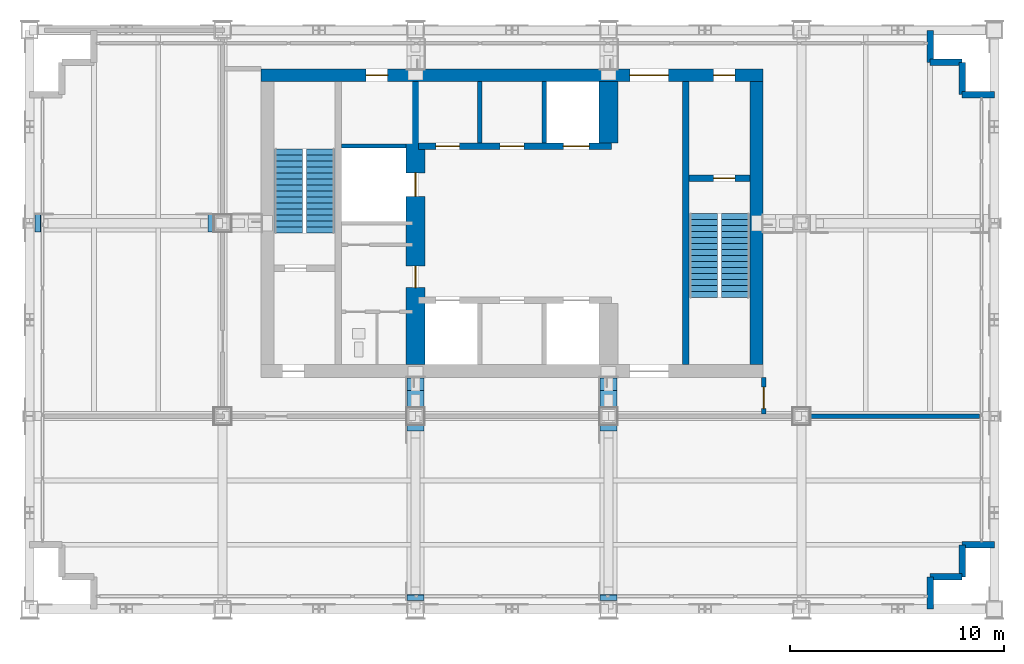
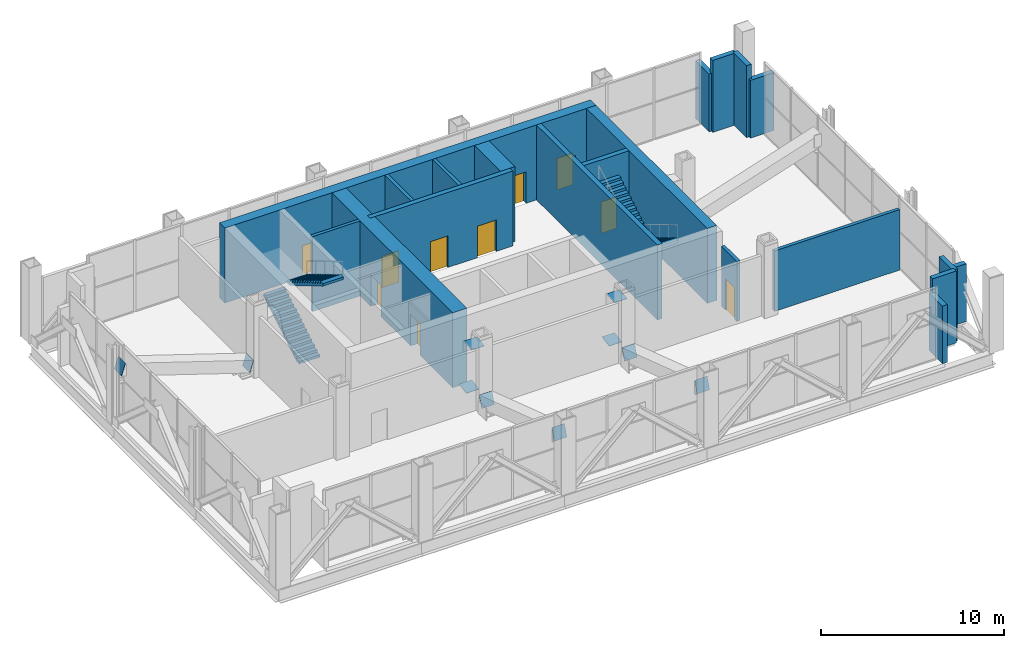
# One storey, part 10 of 13: 20 walls, 10 discrete accessories, 10 doors, 4 stair flights, 10 openings, 2 elements without a shape of their own.
"""IFC4 building model written with IfcOpenShell, lengths in metres."""

from ifc_helpers import new_model, si_unit, direction, frame, frame_2d, origin, origin_2d, place, context, subcontext, project, spatial, polyline, rectangle, outline, extrude, material, layer, layer_set, type_object, element, fill, aggregate, save


model = new_model("IFC4")

# Units and contexts
model_context = context("Model", 3, precision=1e-05, world=origin(), true_north=direction((0.0, 1.0)))
body_context = subcontext(model_context, "Body", "Model", "MODEL_VIEW")
ifc_project = project(units=[si_unit("LENGTHUNIT", "METRE"), si_unit("AREAUNIT", "SQUARE_METRE"), si_unit("VOLUMEUNIT", "CUBIC_METRE"), si_unit("PLANEANGLEUNIT", "RADIAN"), si_unit("MASSUNIT", "GRAM", prefix="KILO")], contexts=[model_context])

# Site, building, storey
site_placement = place(None, origin())
site = spatial("IfcSite", under=ifc_project, at=site_placement, CompositionType="ELEMENT")
building_placement = place(site_placement, origin())
building = spatial("IfcBuilding", under=site, at=building_placement, Name="Loomwork Tower", CompositionType="ELEMENT")
storey_placement = place(building_placement, frame((0.0, 0.0, 221.60009765625)))
storey = spatial("IfcBuildingStorey", under=building, at=storey_placement, Name="L61", CompositionType="ELEMENT", Elevation=221.60009765625)

# Wall, openings, doors
ifc_material_1 = material(Name="Concrete 14000 psi (97 MPa)", Category="concrete")
ifc_layer_1 = layer(ifc_material_1, 0.300048828125)
ifc_layer_set_1 = layer_set([ifc_layer_1], Name="Core shear wall 300")
wall_type_1 = type_object("IfcWallType", Name="Core shear wall 300", PredefinedType="SHEAR", material=ifc_layer_set_1)
wall_1_placement = place(storey_placement, frame((18.14990234375, 21.60009765625, 0.0), z_axis=(0.0, 0.0, 1.0), x_axis=(1.0, 0.0, 0.0)))
wall_1 = element("IfcWall", 1, at=wall_1_placement, inside=storey, type_object=wall_type_1, Name="Lift front wall north L61", PredefinedType="SHEAR", context=body_context, shape_type="SweptSolid", body=[
    extrude(rectangle(XDim=9.0, YDim=0.300048828125, at=frame_2d((4.5, 0.0))), origin(), (0.0, 0.0, 1.0), 5.0),
])
opening_1_placement = place(wall_1_placement, frame((6.75, 0.0, 0.0)))
opening_1 = element("IfcOpeningElement", 2, at=opening_1_placement, cuts=wall_1, Name="Opening LD2", PredefinedType="OPENING", context=body_context, shape_type="SweptSolid", body=[
    extrude(rectangle(XDim=1.199951171875, YDim=2.10009765625, at=frame_2d((0.60009765625, 1.050048828125))), frame((0.0, 0.159912109375, 0.0), z_axis=(0.0, -1.0, 0.0), x_axis=(1.0, 0.0, 0.0)), (0.0, 0.0, 1.0), 0.320068359375),
])
opening_2_placement = place(wall_1_placement, frame((0.800048828125, 0.0, 0.0)))
opening_2 = element("IfcOpeningElement", 3, at=opening_2_placement, cuts=wall_1, Name="Opening D17", PredefinedType="OPENING", context=body_context, shape_type="SweptSolid", body=[
    extrude(rectangle(XDim=1.10009765625, YDim=2.10009765625, at=frame_2d((0.550048828125, 1.050048828125))), frame((0.0, 0.159912109375, 0.0), z_axis=(0.0, -1.0, 0.0), x_axis=(1.0, 0.0, 0.0)), (0.0, 0.0, 1.0), 0.320068359375),
])
opening_3_placement = place(wall_1_placement, frame((3.800048828125, 0.0, 0.0)))
opening_3 = element("IfcOpeningElement", 4, at=opening_3_placement, cuts=wall_1, Name="Opening D17", PredefinedType="OPENING", context=body_context, shape_type="SweptSolid", body=[
    extrude(rectangle(XDim=1.10009765625, YDim=2.10009765625, at=frame_2d((0.550048828125, 1.050048828125))), frame((0.0, 0.159912109375, 0.0), z_axis=(0.0, -1.0, 0.0), x_axis=(1.0, 0.0, 0.0)), (0.0, 0.0, 1.0), 0.320068359375),
])
ifc_material_2 = material(Name="Hollow metal door and frame")
door_type_1 = type_object("IfcDoorType", Name="Lift landing door 1200", OperationType="SLIDING_TO_LEFT", PredefinedType="DOOR", material=ifc_material_2)
door_1_placement = place(opening_1_placement, origin())
door_1 = element("IfcDoor", 5, at=door_1_placement, inside=storey, type_object=door_type_1, Name="Lift landing door LF2", OperationType="SLIDING_TO_LEFT", OverallHeight=2.10009765625, OverallWidth=1.199951171875, PredefinedType="DOOR", context=body_context, shape_type="SweptSolid", body=[
    extrude(rectangle(XDim=1.199951171875, YDim=2.10009765625, at=frame_2d((0.60009765625, 1.050048828125))), frame((0.0, 0.02490234375, 0.0), z_axis=(0.0, -1.0, 0.0), x_axis=(1.0, 0.0, 0.0)), (0.0, 0.0, 1.0), 0.050048828125),
])
fill(opening_1, door_1)
ifc_material_3 = material(Name="Hollow metal door and frame")
door_type_2 = type_object("IfcDoorType", Name="Service room door 1100", OperationType="SINGLE_SWING_LEFT", PredefinedType="DOOR", material=ifc_material_3)
door_2_placement = place(opening_2_placement, origin())
door_2 = element("IfcDoor", 6, at=door_2_placement, inside=storey, type_object=door_type_2, Name="Plant spares store door L61", OperationType="SINGLE_SWING_LEFT", OverallHeight=2.10009765625, OverallWidth=1.10009765625, PredefinedType="DOOR", context=body_context, shape_type="SweptSolid", body=[
    extrude(rectangle(XDim=1.10009765625, YDim=2.10009765625, at=frame_2d((0.550048828125, 1.050048828125))), frame((0.0, 0.02490234375, 0.0), z_axis=(0.0, -1.0, 0.0), x_axis=(1.0, 0.0, 0.0)), (0.0, 0.0, 1.0), 0.050048828125),
])
fill(opening_2, door_2)
door_3_placement = place(opening_3_placement, origin())
door_3 = element("IfcDoor", 7, at=door_3_placement, inside=storey, type_object=door_type_2, Name="Mechanical controls room door L61", OperationType="SINGLE_SWING_LEFT", OverallHeight=2.10009765625, OverallWidth=1.10009765625, PredefinedType="DOOR", context=body_context, shape_type="SweptSolid", body=[
    extrude(rectangle(XDim=1.10009765625, YDim=2.10009765625, at=frame_2d((0.550048828125, 1.050048828125))), frame((0.0, 0.02490234375, 0.0), z_axis=(0.0, -1.0, 0.0), x_axis=(1.0, 0.0, 0.0)), (0.0, 0.0, 1.0), 0.050048828125),
])
fill(opening_3, door_3)

# Wall
wall_2_placement = place(storey_placement, frame((30.60009765625, 11.39990234375, 0.0), z_axis=(0.0, 0.0, 1.0), x_axis=(0.0, 1.0, 0.0)))
element("IfcWall", 8, at=wall_2_placement, inside=storey, type_object=wall_type_1, Name="Stair B west wall L61", PredefinedType="SHEAR", context=body_context, shape_type="SweptSolid", body=[
    extrude(rectangle(XDim=13.2001953125, YDim=0.300048828125, at=frame_2d((6.60009765625, 0.0))), origin(), (0.0, 0.0, 1.0), 5.0),
])

# Wall, opening, door
wall_3_placement = place(storey_placement, frame((30.75, 20.10009765625, 0.0), z_axis=(0.0, 0.0, 1.0), x_axis=(1.0, 0.0, 0.0)))
wall_3 = element("IfcWall", 9, at=wall_3_placement, inside=storey, type_object=wall_type_1, Name="Stair B north wall L61", PredefinedType="SHEAR", context=body_context, shape_type="SweptSolid", body=[
    extrude(rectangle(XDim=2.85009765625, YDim=0.300048828125, at=frame_2d((1.425048828125, 0.0))), origin(), (0.0, 0.0, 1.0), 5.0),
])
opening_4_placement = place(wall_3_placement, frame((1.14990234375, 0.0, 0.0)))
opening_4 = element("IfcOpeningElement", 10, at=opening_4_placement, cuts=wall_3, Name="Opening D4", PredefinedType="OPENING", context=body_context, shape_type="SweptSolid", body=[
    extrude(rectangle(XDim=1.0, YDim=2.10009765625, at=frame_2d((0.5, 1.050048828125))), frame((0.0, 0.159912109375, 0.0), z_axis=(0.0, -1.0, 0.0), x_axis=(1.0, 0.0, 0.0)), (0.0, 0.0, 1.0), 0.320068359375),
])
ifc_material_4 = material(Name="Hollow metal door and frame")
door_type_3 = type_object("IfcDoorType", Name="Stair door 1000", OperationType="SINGLE_SWING_RIGHT", PredefinedType="DOOR", material=ifc_material_4)
door_4_placement = place(opening_4_placement, frame((1.0, 0.0, 0.0), z_axis=(0.0, 0.0, 1.0), x_axis=(-1.0, 0.0, 0.0)))
door_4 = element("IfcDoor", 11, at=door_4_placement, inside=storey, type_object=door_type_3, Name="Stair B door", OperationType="SINGLE_SWING_LEFT", OverallHeight=2.10009765625, OverallWidth=1.0, PredefinedType="DOOR", context=body_context, shape_type="SweptSolid", body=[
    extrude(rectangle(XDim=1.0, YDim=2.10009765625, at=frame_2d((0.5, 1.050048828125))), frame((0.0, 0.02490234375, 0.0), z_axis=(0.0, -1.0, 0.0), x_axis=(1.0, 0.0, 0.0)), (0.0, 0.0, 1.0), 0.050048828125),
])
fill(opening_4, door_4)

# Wall, openings, doors
ifc_material_5 = material(Name="Concrete 14000 psi (97 MPa)", Category="concrete")
ifc_layer_2 = layer(ifc_material_5, 0.60009765625)
ifc_layer_set_2 = layer_set([ifc_layer_2], Name="Core shear wall 600")
wall_type_2 = type_object("IfcWallType", Name="Core shear wall 600", PredefinedType="SHEAR", material=ifc_layer_set_2)
wall_4_placement = place(storey_placement, frame((10.800048828125, 24.89990234375, 0.0), z_axis=(0.0, 0.0, 1.0), x_axis=(1.0, 0.0, 0.0)))
wall_4 = element("IfcWall", 12, at=wall_4_placement, inside=storey, type_object=wall_type_2, Name="Core wall north L61", PredefinedType="SHEAR", context=body_context, shape_type="SweptSolid", body=[
    extrude(rectangle(XDim=23.39990234375, YDim=0.60009765625, at=frame_2d((11.699951171875, 0.0))), origin(), (0.0, 0.0, 1.0), 5.0),
])
opening_5_placement = place(wall_4_placement, frame((17.199951171875, 0.0, 0.0)))
opening_5 = element("IfcOpeningElement", 13, at=opening_5_placement, cuts=wall_4, Name="Opening D6", PredefinedType="OPENING", context=body_context, shape_type="SweptSolid", body=[
    extrude(rectangle(XDim=1.800048828125, YDim=2.10009765625, at=frame_2d((0.89990234375, 1.050048828125))), frame((0.0, 0.31005859375, 0.0), z_axis=(0.0, -1.0, 0.0), x_axis=(1.0, 0.0, 0.0)), (0.0, 0.0, 1.0), 0.6201171875),
])
opening_6_placement = place(wall_4_placement, frame((21.10009765625, 0.0, 0.0)))
opening_6 = element("IfcOpeningElement", 14, at=opening_6_placement, cuts=wall_4, Name="Opening D4", PredefinedType="OPENING", context=body_context, shape_type="SweptSolid", body=[
    extrude(rectangle(XDim=1.0, YDim=2.10009765625, at=frame_2d((0.5, 1.050048828125))), frame((0.0, 0.31005859375, 0.0), z_axis=(0.0, -1.0, 0.0), x_axis=(1.0, 0.0, 0.0)), (0.0, 0.0, 1.0), 0.6201171875),
])
opening_7_placement = place(wall_4_placement, frame((4.89990234375, 0.0, 0.0)))
opening_7 = element("IfcOpeningElement", 15, at=opening_7_placement, cuts=wall_4, Name="Opening D5", PredefinedType="OPENING", context=body_context, shape_type="SweptSolid", body=[
    extrude(rectangle(XDim=1.0, YDim=2.10009765625, at=frame_2d((0.5, 1.050048828125))), frame((0.0, 0.31005859375, 0.0), z_axis=(0.0, -1.0, 0.0), x_axis=(1.0, 0.0, 0.0)), (0.0, 0.0, 1.0), 0.6201171875),
])
ifc_material_6 = material(Name="Hollow metal door and frame")
door_type_4 = type_object("IfcDoorType", Name="Lobby passage double door 1800", OperationType="DOUBLE_DOOR_SINGLE_SWING", PredefinedType="DOOR", material=ifc_material_6)
door_5_placement = place(opening_5_placement, origin())
door_5 = element("IfcDoor", 16, at=door_5_placement, inside=storey, type_object=door_type_4, Name="Lobby passage door north", OperationType="DOUBLE_DOOR_SINGLE_SWING", OverallHeight=2.10009765625, OverallWidth=1.800048828125, PredefinedType="DOOR", context=body_context, shape_type="SweptSolid", body=[
    extrude(rectangle(XDim=1.800048828125, YDim=2.10009765625, at=frame_2d((0.89990234375, 1.050048828125))), frame((0.0, 0.02490234375, 0.0), z_axis=(0.0, -1.0, 0.0), x_axis=(1.0, 0.0, 0.0)), (0.0, 0.0, 1.0), 0.050048828125),
])
fill(opening_5, door_5)
ifc_material_7 = material(Name="Hollow metal door and frame")
door_type_5 = type_object("IfcDoorType", Name="Service door 1000", OperationType="SINGLE_SWING_LEFT", PredefinedType="DOOR", material=ifc_material_7)
door_6_placement = place(opening_7_placement, frame((1.0, 0.0, 0.0), z_axis=(0.0, 0.0, 1.0), x_axis=(-1.0, 0.0, 0.0)))
door_6 = element("IfcDoor", 17, at=door_6_placement, inside=storey, type_object=door_type_5, Name="Back-of-house door north", OperationType="SINGLE_SWING_LEFT", OverallHeight=2.10009765625, OverallWidth=1.0, PredefinedType="DOOR", context=body_context, shape_type="SweptSolid", body=[
    extrude(rectangle(XDim=1.0, YDim=2.10009765625, at=frame_2d((0.5, 1.050048828125))), frame((0.0, 0.02490234375, 0.0), z_axis=(0.0, -1.0, 0.0), x_axis=(1.0, 0.0, 0.0)), (0.0, 0.0, 1.0), 0.050048828125),
])
fill(opening_7, door_6)
door_7_placement = place(opening_6_placement, frame((1.0, 0.0, 0.0), z_axis=(0.0, 0.0, 1.0), x_axis=(-1.0, 0.0, 0.0)))
door_7 = element("IfcDoor", 18, at=door_7_placement, inside=storey, type_object=door_type_3, Name="Stair B vestibule door", OperationType="SINGLE_SWING_LEFT", OverallHeight=2.10009765625, OverallWidth=1.0, PredefinedType="DOOR", context=body_context, shape_type="SweptSolid", body=[
    extrude(rectangle(XDim=1.0, YDim=2.10009765625, at=frame_2d((0.5, 1.050048828125))), frame((0.0, 0.02490234375, 0.0), z_axis=(0.0, -1.0, 0.0), x_axis=(1.0, 0.0, 0.0)), (0.0, 0.0, 1.0), 0.050048828125),
])
fill(opening_6, door_7)

# Wall
wall_5_placement = place(storey_placement, frame((33.89990234375, 11.39990234375, 0.0), z_axis=(0.0, 0.0, 1.0), x_axis=(0.0, 1.0, 0.0)))
element("IfcWall", 19, at=wall_5_placement, inside=storey, type_object=wall_type_2, Name="Core wall east L61", PredefinedType="SHEAR", context=body_context, shape_type="SweptSolid", body=[
    extrude(rectangle(XDim=13.2001953125, YDim=0.60009765625, at=frame_2d((6.60009765625, 0.0))), origin(), (0.0, 0.0, 1.0), 5.0),
])

# Wall, openings, doors
ifc_material_8 = material(Name="Concrete 14000 psi (97 MPa)", Category="concrete")
ifc_layer_3 = layer(ifc_material_8, 0.89990234375)
ifc_layer_set_3 = layer_set([ifc_layer_3], Name="Core shear wall 900")
wall_type_3 = type_object("IfcWallType", Name="Core shear wall 900", PredefinedType="SHEAR", material=ifc_layer_set_3)
wall_6_placement = place(storey_placement, frame((18.0, 11.39990234375, 0.0), z_axis=(0.0, 0.0, 1.0), x_axis=(0.0, 1.0, 0.0)))
wall_6 = element("IfcWall", 20, at=wall_6_placement, inside=storey, type_object=wall_type_3, Name="Lobby west wall L61", PredefinedType="SHEAR", context=body_context, shape_type="SweptSolid", body=[
    extrude(rectangle(XDim=13.2001953125, YDim=0.89990234375, at=frame_2d((6.60009765625, 0.0))), origin(), (0.0, 0.0, 1.0), 5.0),
])
opening_8_placement = place(wall_6_placement, frame((3.60009765625, 0.0, 0.0)))
opening_8 = element("IfcOpeningElement", 21, at=opening_8_placement, cuts=wall_6, Name="Opening D5", PredefinedType="OPENING", context=body_context, shape_type="SweptSolid", body=[
    extrude(rectangle(XDim=1.0, YDim=2.10009765625, at=frame_2d((0.5, 1.050048828125))), frame((0.0, 0.4599609375, 0.0), z_axis=(0.0, -1.0, 0.0), x_axis=(1.0, 0.0, 0.0)), (0.0, 0.0, 1.0), 0.919921875),
])
opening_9_placement = place(wall_6_placement, frame((7.85009765625, 0.0, 0.0)))
opening_9 = element("IfcOpeningElement", 22, at=opening_9_placement, cuts=wall_6, Name="Opening LD1", PredefinedType="OPENING", context=body_context, shape_type="SweptSolid", body=[
    extrude(rectangle(XDim=1.10009765625, YDim=2.10009765625, at=frame_2d((0.550048828125, 1.050048828125))), frame((0.0, 0.4599609375, 0.0), z_axis=(0.0, -1.0, 0.0), x_axis=(1.0, 0.0, 0.0)), (0.0, 0.0, 1.0), 0.919921875),
])
ifc_material_9 = material(Name="Hollow metal door and frame")
door_type_6 = type_object("IfcDoorType", Name="Lift landing door 1100", OperationType="SLIDING_TO_LEFT", PredefinedType="DOOR", material=ifc_material_9)
door_8_placement = place(opening_9_placement, origin())
door_8 = element("IfcDoor", 23, at=door_8_placement, inside=storey, type_object=door_type_6, Name="Lift landing door LC2", OperationType="SLIDING_TO_LEFT", OverallHeight=2.10009765625, OverallWidth=1.10009765625, PredefinedType="DOOR", context=body_context, shape_type="SweptSolid", body=[
    extrude(rectangle(XDim=1.10009765625, YDim=2.10009765625, at=frame_2d((0.550048828125, 1.050048828125))), frame((0.0, 0.02490234375, 0.0), z_axis=(0.0, -1.0, 0.0), x_axis=(1.0, 0.0, 0.0)), (0.0, 0.0, 1.0), 0.050048828125),
])
fill(opening_9, door_8)
door_9_placement = place(opening_8_placement, origin())
door_9 = element("IfcDoor", 24, at=door_9_placement, inside=storey, type_object=door_type_5, Name="Back-of-house door south", OperationType="SINGLE_SWING_LEFT", OverallHeight=2.10009765625, OverallWidth=1.0, PredefinedType="DOOR", context=body_context, shape_type="SweptSolid", body=[
    extrude(rectangle(XDim=1.0, YDim=2.10009765625, at=frame_2d((0.5, 1.050048828125))), frame((0.0, 0.02490234375, 0.0), z_axis=(0.0, -1.0, 0.0), x_axis=(1.0, 0.0, 0.0)), (0.0, 0.0, 1.0), 0.050048828125),
])
fill(opening_8, door_9)

# Walls
wall_7_placement = place(storey_placement, frame((27.0, 21.75, 0.0), z_axis=(0.0, 0.0, 1.0), x_axis=(0.0, 1.0, 0.0)))
element("IfcWall", 25, at=wall_7_placement, inside=storey, type_object=wall_type_3, Name="Lift shaft end wall north L61", PredefinedType="SHEAR", context=body_context, shape_type="SweptSolid", body=[
    extrude(rectangle(XDim=2.85009765625, YDim=0.89990234375, at=frame_2d((1.425048828125, 0.0))), origin(), (0.0, 0.0, 1.0), 5.0),
])
ifc_material_10 = material(Name="Gypsum board on steel studs, one-hour", Category="steel")
ifc_layer_4 = layer(ifc_material_10, 0.199951171875)
ifc_layer_set_4 = layer_set([ifc_layer_4], Name="Corridor wall 200")
wall_type_4 = type_object("IfcWallType", Name="Corridor wall 200", PredefinedType="PARTITIONING", material=ifc_layer_set_4)
wall_8_placement = place(storey_placement, frame((36.39990234375, 9.0, 0.0), z_axis=(0.0, 0.0, 1.0), x_axis=(1.0, 0.0, 0.0)))
element("IfcWall", 26, at=wall_8_placement, inside=storey, type_object=wall_type_4, Name="Plant corridor wall S 4", PredefinedType="PARTITIONING", context=body_context, shape_type="SweptSolid", body=[
    extrude(rectangle(XDim=7.900146484375, YDim=0.199951171875, at=frame_2d((3.9501953125, 0.0))), origin(), (0.0, 0.0, 1.0), 4.037841796875),
])

# Wall, opening, door
wall_9_placement = place(storey_placement, frame((34.239990234375, 9.10009765625, 0.0), z_axis=(0.0, 0.0, 1.0), x_axis=(0.0, 1.0, 0.0)))
wall_9 = element("IfcWall", 27, at=wall_9_placement, inside=storey, type_object=wall_type_4, Name="Plant corridor end wall S 1", PredefinedType="PARTITIONING", context=body_context, shape_type="SweptSolid", body=[
    extrude(rectangle(XDim=1.699951171875, YDim=0.199951171875, at=frame_2d((0.85009765625, 0.0))), origin(), (0.0, 0.0, 1.0), 4.00390625),
])
opening_10_placement = place(wall_9_placement, frame((0.25, 0.0, 0.0)))
opening_10 = element("IfcOpeningElement", 28, at=opening_10_placement, cuts=wall_9, Name="Opening D18", PredefinedType="OPENING", context=body_context, shape_type="SweptSolid", body=[
    extrude(rectangle(XDim=1.0, YDim=2.10009765625, at=frame_2d((0.5, 1.050048828125))), frame((0.0, 0.10986328125, 0.0), z_axis=(0.0, -1.0, 0.0), x_axis=(1.0, 0.0, 0.0)), (0.0, 0.0, 1.0), 0.219970703125),
])
ifc_material_11 = material(Name="Hollow metal door and frame")
door_type_7 = type_object("IfcDoorType", Name="Ninety-minute service door 1000", OperationType="SINGLE_SWING_LEFT", PredefinedType="DOOR", material=ifc_material_11)
door_10_placement = place(opening_10_placement, frame((1.0, 0.0, 0.0), z_axis=(0.0, 0.0, 1.0), x_axis=(-1.0, 0.0, 0.0)))
door_10 = element("IfcDoor", 29, at=door_10_placement, inside=storey, type_object=door_type_7, Name="Electrical switch room door", OperationType="SINGLE_SWING_RIGHT", OverallHeight=2.10009765625, OverallWidth=1.0, PredefinedType="DOOR", context=body_context, shape_type="SweptSolid", body=[
    extrude(rectangle(XDim=1.0, YDim=2.10009765625, at=frame_2d((0.5, 1.050048828125))), frame((0.0, 0.02490234375, 0.0), z_axis=(0.0, -1.0, 0.0), x_axis=(1.0, 0.0, 0.0)), (0.0, 0.0, 1.0), 0.050048828125),
])
fill(opening_10, door_10)

# Walls
ifc_material_12 = material(Name="Concrete 14000 psi (97 MPa)", Category="concrete")
ifc_layer_5 = layer(ifc_material_12, 0.199951171875)
ifc_layer_set_5 = layer_set([ifc_layer_5], Name="Lift shaft wall 200")
wall_type_5 = type_object("IfcWallType", Name="Lift shaft wall 200", PredefinedType="SHEAR", material=ifc_layer_set_5)
for number, where, z_axis, x_axis, name in (
    (30, (21.0, 21.75, 0.0), (0.0, 0.0, 1.0), (0.0, 1.0, 0.0), "Lift shaft separation wall north 1 L61"),
    (31, (24.0, 21.75, 0.0), (0.0, 0.0, 1.0), (0.0, 1.0, 0.0), "Lift shaft separation wall north 2 L61"),
):
    element("IfcWall", number, at=place(storey_placement, frame(where, z_axis=z_axis, x_axis=x_axis)), inside=storey, type_object=wall_type_5, Name=name, PredefinedType="SHEAR", context=body_context, shape_type="SweptSolid", body=[
        extrude(rectangle(XDim=2.85009765625, YDim=0.199951171875, at=frame_2d((1.425048828125, 0.0))), origin(), (0.0, 0.0, 1.0), 5.0),
    ])
wall_10_placement = place(storey_placement, frame((14.550048828125, 21.60009765625, 0.0), z_axis=(0.0, 0.0, 1.0), x_axis=(1.0, 0.0, 0.0)))
element("IfcWall", 32, at=wall_10_placement, inside=storey, type_object=wall_type_5, Name="Lift shaft wall west north L61", PredefinedType="SHEAR", context=body_context, shape_type="SweptSolid", body=[
    extrude(rectangle(XDim=3.0, YDim=0.199951171875, at=frame_2d((1.5, 0.0))), origin(), (0.0, 0.0, 1.0), 5.0),
])
ifc_material_13 = material(Name="Limestone on concrete masonry", Category="masonry")
ifc_layer_6 = layer(ifc_material_13, 0.300048828125)
ifc_layer_set_6 = layer_set([ifc_layer_6], Name="Limestone corner wall 300")
wall_type_6 = type_object("IfcWallType", Name="Limestone corner wall 300", PredefinedType="SOLIDWALL", material=ifc_layer_set_6)
wall_11_placement = place(storey_placement, frame((42.0, 0.0, 0.0), z_axis=(0.0, 0.0, 1.0), x_axis=(0.0, 1.0, 0.0)))
element("IfcWall", 33, at=wall_11_placement, inside=storey, type_object=wall_type_6, Name="Stone corner wall SE 1", PredefinedType="SOLIDWALL", context=body_context, shape_type="SweptSolid", body=[
    extrude(rectangle(XDim=1.5, YDim=0.300048828125, at=frame_2d((0.75, 0.0))), origin(), (0.0, 0.0, 1.0), 3.851806640625),
])
for number, where, z_axis, x_axis, name in (
    (34, (42.0, 1.5, 0.0), (0.0, 0.0, 1.0), (1.0, 0.0, 0.0), "Stone corner wall SE 2"),
    (35, (43.5, 1.5, 0.0), (0.0, 0.0, 1.0), (0.0, 1.0, 0.0), "Stone corner wall SE 3"),
):
    element("IfcWall", number, at=place(storey_placement, frame(where, z_axis=z_axis, x_axis=x_axis)), inside=storey, type_object=wall_type_6, Name=name, PredefinedType="SOLIDWALL", context=body_context, shape_type="SweptSolid", body=[
        extrude(rectangle(XDim=1.5, YDim=0.300048828125, at=frame_2d((0.75, 0.0))), origin(), (0.0, 0.0, 1.0), 4.7998046875),
    ])
for number, where, z_axis, x_axis, name in (
    (36, (43.5, 3.0, 0.0), (0.0, 0.0, 1.0), (1.0, 0.0, 0.0), "Stone corner wall SE 4"),
    (37, (45.0, 24.0, 0.0), (0.0, 0.0, 1.0), (-1.0, 0.0, 0.0), "Stone corner wall NE 1"),
):
    element("IfcWall", number, at=place(storey_placement, frame(where, z_axis=z_axis, x_axis=x_axis)), inside=storey, type_object=wall_type_6, Name=name, PredefinedType="SOLIDWALL", context=body_context, shape_type="SweptSolid", body=[
        extrude(rectangle(XDim=1.5, YDim=0.300048828125, at=frame_2d((0.75, 0.0))), origin(), (0.0, 0.0, 1.0), 3.851806640625),
    ])
for number, where, z_axis, x_axis, name in (
    (38, (43.5, 24.0, 0.0), (0.0, 0.0, 1.0), (0.0, 1.0, 0.0), "Stone corner wall NE 2"),
    (39, (43.5, 25.5, 0.0), (0.0, 0.0, 1.0), (-1.0, 0.0, 0.0), "Stone corner wall NE 3"),
):
    element("IfcWall", number, at=place(storey_placement, frame(where, z_axis=z_axis, x_axis=x_axis)), inside=storey, type_object=wall_type_6, Name=name, PredefinedType="SOLIDWALL", context=body_context, shape_type="SweptSolid", body=[
        extrude(rectangle(XDim=1.5, YDim=0.300048828125, at=frame_2d((0.75, 0.0))), origin(), (0.0, 0.0, 1.0), 4.7998046875),
    ])
wall_12_placement = place(storey_placement, frame((42.0, 25.5, 0.0), z_axis=(0.0, 0.0, 1.0), x_axis=(0.0, 1.0, 0.0)))
element("IfcWall", 40, at=wall_12_placement, inside=storey, type_object=wall_type_6, Name="Stone corner wall NE 4", PredefinedType="SOLIDWALL", context=body_context, shape_type="SweptSolid", body=[
    extrude(rectangle(XDim=1.5, YDim=0.300048828125, at=frame_2d((0.75, 0.0))), origin(), (0.0, 0.0, 1.0), 3.851806640625),
])

# Stair, stair flights
ifc_material_14 = material(Name="Concrete 5000 psi (34 MPa) precast stair", Category="concrete")
stair_type_1 = type_object("IfcStairType", Name="Stair ST-A 30 risers 2850 wide", PredefinedType="HALF_TURN_STAIR", material=ifc_material_14)
stair_1_placement = place(storey_placement, origin())
stair_1 = element("IfcStair", 41, at=stair_1_placement, inside=storey, type_object=stair_type_1, Name="Stair A L61", PredefinedType="HALF_TURN_STAIR")
ifc_material_15 = material(Name="Concrete 5000 psi (34 MPa) precast stair", Category="concrete")
stair_flight_type_1 = type_object("IfcStairFlightType", Name="Stair flight ST-A 15 risers 1300 wide", PredefinedType="STRAIGHT", material=ifc_material_15)
stair_flight_1_placement = place(storey_placement, frame((12.074951171875, 17.550048828125, 0.0), z_axis=(0.0, 0.0, 1.0), x_axis=(0.0, 1.0, 0.0)))
stair_flight_1 = element("IfcStairFlight", 42, at=stair_flight_1_placement, type_object=stair_flight_type_1, Name="ST-A flight 1", NumberOfRisers=15, NumberOfTreads=14, PredefinedType="STRAIGHT", RiserHeight=0.166666667, TreadLength=0.28, context=body_context, shape_type="SweptSolid", body=[
    extrude(outline(polyline([(0.0, 0.0), (0.0, 0.166748046875), (0.280029296875, 0.166748046875), (0.280029296875, 0.333251953125), (0.56005859375, 0.333251953125), (0.56005859375, 0.5), (0.840087890625, 0.5), (0.840087890625, 0.666748046875), (1.1201171875, 0.666748046875), (1.1201171875, 0.833251953125), (1.39990234375, 0.833251953125), (1.39990234375, 1.0), (1.679931640625, 1.0), (1.679931640625, 1.166748046875), (1.9599609375, 1.166748046875), (1.9599609375, 1.333251953125), (2.239990234375, 1.333251953125), (2.239990234375, 1.5), (2.52001953125, 1.5), (2.52001953125, 1.666748046875), (2.800048828125, 1.666748046875), (2.800048828125, 1.833251953125), (3.080078125, 1.833251953125), (3.080078125, 2.0), (3.360107421875, 2.0), (3.360107421875, 2.166748046875), (3.639892578125, 2.166748046875), (3.639892578125, 2.333251953125), (3.919921875, 2.333251953125), (3.919921875, 2.5), (3.919921875, 2.158935546875), (0.29296875, 0.0), (0.0, 0.0)])), frame((0.0, 0.64990234375, 0.0), z_axis=(0.0, -1.0, 0.0), x_axis=(1.0, 0.0, 0.0)), (0.0, 0.0, 1.0), 1.300048828125),
])
stair_flight_2_placement = place(storey_placement, frame((13.574951171875, 21.469970703125, 2.5), z_axis=(0.0, 0.0, 1.0), x_axis=(0.0, -1.0, 0.0)))
stair_flight_2 = element("IfcStairFlight", 43, at=stair_flight_2_placement, type_object=stair_flight_type_1, Name="ST-A flight 2", NumberOfRisers=15, NumberOfTreads=14, PredefinedType="STRAIGHT", RiserHeight=0.166666667, TreadLength=0.28, context=body_context, shape_type="SweptSolid", body=[
    extrude(outline(polyline([(0.0, 0.0), (0.0, 0.166748046875), (0.280029296875, 0.166748046875), (0.280029296875, 0.333251953125), (0.56005859375, 0.333251953125), (0.56005859375, 0.5), (0.840087890625, 0.5), (0.840087890625, 0.666748046875), (1.1201171875, 0.666748046875), (1.1201171875, 0.833251953125), (1.39990234375, 0.833251953125), (1.39990234375, 1.0), (1.679931640625, 1.0), (1.679931640625, 1.166748046875), (1.9599609375, 1.166748046875), (1.9599609375, 1.333251953125), (2.239990234375, 1.333251953125), (2.239990234375, 1.5), (2.52001953125, 1.5), (2.52001953125, 1.666748046875), (2.800048828125, 1.666748046875), (2.800048828125, 1.833251953125), (3.080078125, 1.833251953125), (3.080078125, 2.0), (3.360107421875, 2.0), (3.360107421875, 2.166748046875), (3.639892578125, 2.166748046875), (3.639892578125, 2.333251953125), (3.919921875, 2.333251953125), (3.919921875, 2.5), (3.919921875, 2.158935546875), (0.29296875, 0.0), (0.0, 0.0)])), frame((0.0, 0.64990234375, 0.0), z_axis=(0.0, -1.0, 0.0), x_axis=(1.0, 0.0, 0.0)), (0.0, 0.0, 1.0), 1.300048828125),
])
aggregate(stair_1, [stair_flight_1, stair_flight_2])

ifc_material_16 = material(Name="Concrete 5000 psi (34 MPa) precast stair", Category="concrete")
stair_type_2 = type_object("IfcStairType", Name="Stair ST-B 30 risers 2850 wide", PredefinedType="HALF_TURN_STAIR", material=ifc_material_16)
stair_2_placement = place(storey_placement, origin())
stair_2 = element("IfcStair", 44, at=stair_2_placement, inside=storey, type_object=stair_type_2, Name="Stair B L61", PredefinedType="HALF_TURN_STAIR")
ifc_material_17 = material(Name="Concrete 5000 psi (34 MPa) precast stair", Category="concrete")
stair_flight_type_2 = type_object("IfcStairFlightType", Name="Stair flight ST-B 15 risers 1300 wide", PredefinedType="STRAIGHT", material=ifc_material_17)
stair_flight_3_placement = place(storey_placement, frame((32.925048828125, 18.449951171875, 0.0), z_axis=(0.0, 0.0, 1.0), x_axis=(0.0, -1.0, 0.0)))
stair_flight_3 = element("IfcStairFlight", 45, at=stair_flight_3_placement, type_object=stair_flight_type_2, Name="ST-B flight 1", NumberOfRisers=15, NumberOfTreads=14, PredefinedType="STRAIGHT", RiserHeight=0.166666667, TreadLength=0.28, context=body_context, shape_type="SweptSolid", body=[
    extrude(outline(polyline([(0.0, 0.0), (0.0, 0.166748046875), (0.280029296875, 0.166748046875), (0.280029296875, 0.333251953125), (0.56005859375, 0.333251953125), (0.56005859375, 0.5), (0.840087890625, 0.5), (0.840087890625, 0.666748046875), (1.1201171875, 0.666748046875), (1.1201171875, 0.833251953125), (1.39990234375, 0.833251953125), (1.39990234375, 1.0), (1.679931640625, 1.0), (1.679931640625, 1.166748046875), (1.9599609375, 1.166748046875), (1.9599609375, 1.333251953125), (2.239990234375, 1.333251953125), (2.239990234375, 1.5), (2.52001953125, 1.5), (2.52001953125, 1.666748046875), (2.800048828125, 1.666748046875), (2.800048828125, 1.833251953125), (3.080078125, 1.833251953125), (3.080078125, 2.0), (3.360107421875, 2.0), (3.360107421875, 2.166748046875), (3.639892578125, 2.166748046875), (3.639892578125, 2.333251953125), (3.919921875, 2.333251953125), (3.919921875, 2.5), (3.919921875, 2.158935546875), (0.29296875, 0.0), (0.0, 0.0)])), frame((0.0, 0.64990234375, 0.0), z_axis=(0.0, -1.0, 0.0), x_axis=(1.0, 0.0, 0.0)), (0.0, 0.0, 1.0), 1.300048828125),
])
stair_flight_4_placement = place(storey_placement, frame((31.425048828125, 14.530029296875, 2.5), z_axis=(0.0, 0.0, 1.0), x_axis=(0.0, 1.0, 0.0)))
stair_flight_4 = element("IfcStairFlight", 46, at=stair_flight_4_placement, type_object=stair_flight_type_2, Name="ST-B flight 2", NumberOfRisers=15, NumberOfTreads=14, PredefinedType="STRAIGHT", RiserHeight=0.166666667, TreadLength=0.28, context=body_context, shape_type="SweptSolid", body=[
    extrude(outline(polyline([(0.0, 0.0), (0.0, 0.166748046875), (0.280029296875, 0.166748046875), (0.280029296875, 0.333251953125), (0.56005859375, 0.333251953125), (0.56005859375, 0.5), (0.840087890625, 0.5), (0.840087890625, 0.666748046875), (1.1201171875, 0.666748046875), (1.1201171875, 0.833251953125), (1.39990234375, 0.833251953125), (1.39990234375, 1.0), (1.679931640625, 1.0), (1.679931640625, 1.166748046875), (1.9599609375, 1.166748046875), (1.9599609375, 1.333251953125), (2.239990234375, 1.333251953125), (2.239990234375, 1.5), (2.52001953125, 1.5), (2.52001953125, 1.666748046875), (2.800048828125, 1.666748046875), (2.800048828125, 1.833251953125), (3.080078125, 1.833251953125), (3.080078125, 2.0), (3.360107421875, 2.0), (3.360107421875, 2.166748046875), (3.639892578125, 2.166748046875), (3.639892578125, 2.333251953125), (3.919921875, 2.333251953125), (3.919921875, 2.5), (3.919921875, 2.158935546875), (0.29296875, 0.0), (0.0, 0.0)])), frame((0.0, 0.64990234375, 0.0), z_axis=(0.0, -1.0, 0.0), x_axis=(1.0, 0.0, 0.0)), (0.0, 0.0, 1.0), 1.300048828125),
])
aggregate(stair_2, [stair_flight_3, stair_flight_4])

# Discrete accessories
ifc_material_18 = material(Name="Steel ASTM A572 Grade 50", Category="steel")
ifc_layer_7 = layer(ifc_material_18, 0.02490234375)
ifc_layer_set_7 = layer_set([ifc_layer_7], Name="Steel end cap plate 25")
discrete_accessory_type = type_object("IfcDiscreteAccessoryType", Name="Steel end cap plate 25", PredefinedType="USERDEFINED", material=ifc_layer_set_7)
for number, where, z_axis, x_axis, name in (
    (47, (0.39306640625, 18.0, 3.454833984375), (-0.949657780128, 0.0, 0.313289164578), (0.0, -1.0, 0.0), "Outrigger diagonal end seal plate F/2/0 p0"),
    (48, (8.4482421875, 18.0, 0.837890625), (0.952538100641, 0.0, -0.304419392988), (0.0, 1.0, 0.0), "Outrigger diagonal end seal plate F/2/0 p1"),
    (49, (18.0, 0.55419921875, 3.455322265625), (0.0, -0.94671323822, 0.3220776996), (1.0, 0.0, 0.0), "Outrigger diagonal end seal plate D/4/0 p0"),
    (50, (18.0, 8.44580078125, 0.83740234375), (0.0, 0.94671323822, -0.3220776996), (-1.0, 0.0, 0.0), "Outrigger diagonal end seal plate D/4/0 p1"),
):
    element("IfcDiscreteAccessory", number, at=place(storey_placement, frame(where, z_axis=z_axis, x_axis=x_axis)), inside=storey, type_object=discrete_accessory_type, Name=name, ObjectType="END PLATE", PredefinedType="USERDEFINED", context=body_context, shape_type="SweptSolid", body=[
        extrude(rectangle(XDim=0.800048828125, YDim=0.800048828125, at=origin_2d()), origin(), (0.0, 0.0, 1.0), 0.02490234375),
    ])
discrete_accessory_1_placement = place(storey_placement, frame((18.0, 9.80859375, 3.75244140625), z_axis=(0.0, -0.175453264378, 0.984487761234), x_axis=(1.0, 0.0, 0.0)))
element("IfcDiscreteAccessory", 51, at=discrete_accessory_1_placement, inside=storey, type_object=discrete_accessory_type, Name="Outrigger diagonal end seal plate E/4/1 p0", ObjectType="END PLATE", PredefinedType="USERDEFINED", context=body_context, shape_type="SweptSolid", body=[
    extrude(rectangle(XDim=0.800048828125, YDim=0.800048828125, at=origin_2d()), origin(), (0.0, 0.0, 1.0), 0.025146484375),
])
for number, where, z_axis, x_axis, name in (
    (52, (18.0, 10.391357421875, 0.540283203125), (0.0, 0.177152998315, -0.984183323974), (-1.0, 0.0, 0.0), "Outrigger diagonal end seal plate E/4/1 p1"),
    (53, (27.0, 0.55419921875, 3.455322265625), (0.0, -0.94671323822, 0.3220776996), (1.0, 0.0, 0.0), "Outrigger diagonal end seal plate D/5/0 p0"),
    (54, (27.0, 8.44580078125, 0.83740234375), (0.0, 0.94671323822, -0.3220776996), (-1.0, 0.0, 0.0), "Outrigger diagonal end seal plate D/5/0 p1"),
):
    element("IfcDiscreteAccessory", number, at=place(storey_placement, frame(where, z_axis=z_axis, x_axis=x_axis)), inside=storey, type_object=discrete_accessory_type, Name=name, ObjectType="END PLATE", PredefinedType="USERDEFINED", context=body_context, shape_type="SweptSolid", body=[
        extrude(rectangle(XDim=0.800048828125, YDim=0.800048828125, at=origin_2d()), origin(), (0.0, 0.0, 1.0), 0.02490234375),
    ])
discrete_accessory_2_placement = place(storey_placement, frame((27.0, 9.80859375, 3.75244140625), z_axis=(0.0, -0.175453264378, 0.984487761234), x_axis=(1.0, 0.0, 0.0)))
element("IfcDiscreteAccessory", 55, at=discrete_accessory_2_placement, inside=storey, type_object=discrete_accessory_type, Name="Outrigger diagonal end seal plate E/5/1 p0", ObjectType="END PLATE", PredefinedType="USERDEFINED", context=body_context, shape_type="SweptSolid", body=[
    extrude(rectangle(XDim=0.800048828125, YDim=0.800048828125, at=origin_2d()), origin(), (0.0, 0.0, 1.0), 0.025146484375),
])
discrete_accessory_3_placement = place(storey_placement, frame((27.0, 10.391357421875, 0.540283203125), z_axis=(0.0, 0.177152998315, -0.984183323974), x_axis=(-1.0, 0.0, 0.0)))
element("IfcDiscreteAccessory", 56, at=discrete_accessory_3_placement, inside=storey, type_object=discrete_accessory_type, Name="Outrigger diagonal end seal plate E/5/1 p1", ObjectType="END PLATE", PredefinedType="USERDEFINED", context=body_context, shape_type="SweptSolid", body=[
    extrude(rectangle(XDim=0.800048828125, YDim=0.800048828125, at=origin_2d()), origin(), (0.0, 0.0, 1.0), 0.02490234375),
])

save(model, "model.ifc")
